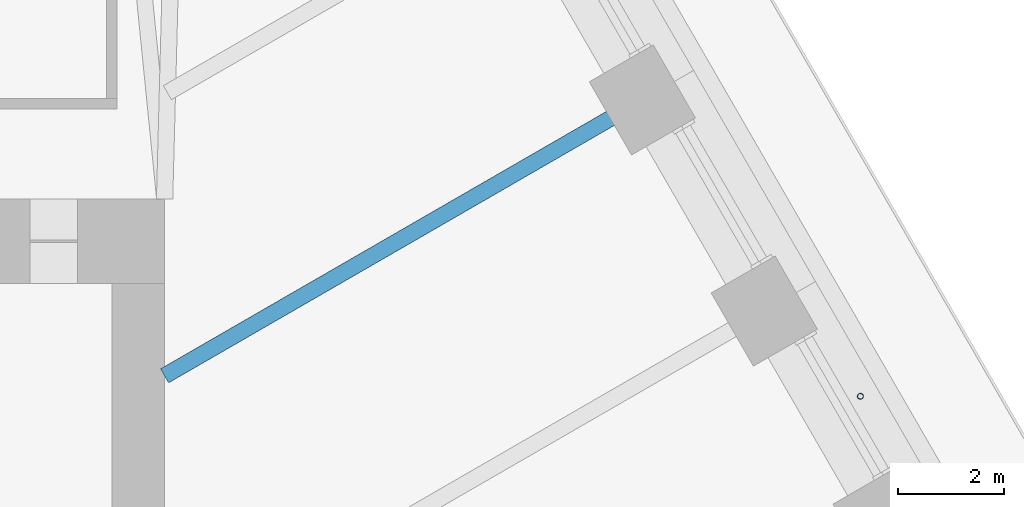
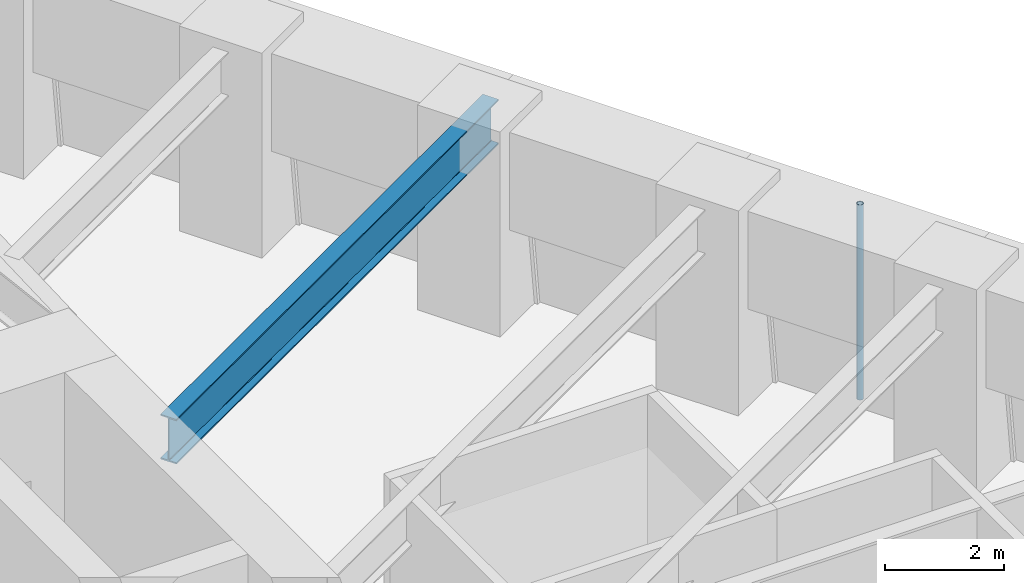
# One storey, part 10 of 20: 1 beam, 1 member.
"""IFC4 building model written with IfcOpenShell, lengths in metres."""

import ifcopenshell
import ifcopenshell.guid

model = None  # the IFC model being written
_history = None  # IfcOwnerHistory: only IFC2X3 demands one
_inside = {}  # id of a spatial element -> (the spatial element, [elements in it])
_under = {}  # id of a project, library or spatial element -> (it, [spatial elements below it])
_declared = {}  # id of a project -> (the project, [libraries it declares])
_typed = {}  # id of a type object -> (the type object, [elements of that type])
_made_of = {}  # id of a material, layer set ... -> (it, [elements and type objects made of it])


def new_model(schema):
    """Start an empty IFC model of exactly this schema.

    Asked for "IFC4X3", IfcOpenShell would pick the latest addendum, in which some entities
    have other attributes; the version numbers below select the first issue.
    IFC2X3 requires an IfcOwnerHistory on every rooted entity: one is made here for all.
    """
    global model, _history
    if schema == "IFC4X3":
        model = ifcopenshell.file(schema_version=(4, 3, 0, 0))
    else:
        model = ifcopenshell.file(schema=schema)
    _inside.clear()
    _under.clear()
    _declared.clear()
    _typed.clear()
    _made_of.clear()
    _history = None
    if model.schema == "IFC2X3":
        org = make("IfcOrganization", Name="unknown")
        user = make(
            "IfcPersonAndOrganization",
            ThePerson=make("IfcPerson", FamilyName="unknown"),
            TheOrganization=org,
        )
        app = make(
            "IfcApplication",
            ApplicationDeveloper=org,
            Version="unknown",
            ApplicationFullName="unknown",
            ApplicationIdentifier="unknown",
        )
        _history = make(
            "IfcOwnerHistory",
            OwningUser=user,
            OwningApplication=app,
            ChangeAction="ADDED",
            CreationDate=0,
        )
    return model


def make(cls, **values):
    """One entity of the class cls with the attributes given. An attribute that is None is left unset."""
    return model.create_entity(
        cls, **{name: value for name, value in values.items() if value is not None}
    )


def rooted(cls, **values):
    """An entity with a GlobalId (a new one), such as an element, a storey or a relation."""
    return make(cls, GlobalId=ifcopenshell.guid.new(), OwnerHistory=_history, **values)


def si_unit(unit_type, name, prefix=None):
    """IfcSIUnit, for example si_unit("LENGTHUNIT", "METRE", prefix="MILLI")."""
    return make("IfcSIUnit", UnitType=unit_type, Prefix=prefix, Name=name)


def assignment(units):
    """IfcUnitAssignment: the units of a project."""
    return None if units is None else make("IfcUnitAssignment", Units=units)


def point(xyz):
    """IfcCartesianPoint."""
    return None if xyz is None else make("IfcCartesianPoint", Coordinates=xyz)


def direction(xyz):
    """IfcDirection."""
    return None if xyz is None else make("IfcDirection", DirectionRatios=xyz)


def frame(location, z_axis=None, x_axis=None):
    """IfcAxis2Placement3D, a coordinate frame: its origin and axes. An axis left out is left unset."""
    return make(
        "IfcAxis2Placement3D",
        Location=point(location),
        Axis=direction(z_axis),
        RefDirection=direction(x_axis),
    )


def frame_2d(location, x_axis=None):
    """IfcAxis2Placement2D, a coordinate frame in the plane: its origin and x axis."""
    return make(
        "IfcAxis2Placement2D", Location=point(location), RefDirection=direction(x_axis)
    )


def origin():
    """The frame at (0, 0, 0) with its axes left unset."""
    return frame((0.0, 0.0, 0.0))


def origin_2d():
    """The frame at (0, 0) in the plane with its x axis left unset."""
    return frame_2d((0.0, 0.0))


def place(relative_to, where):
    """IfcLocalPlacement: puts the frame where relative to a parent placement (None: the world)."""
    return make(
        "IfcLocalPlacement", PlacementRelTo=relative_to, RelativePlacement=where
    )


def context(
    kind, dimensions, precision=None, world=None, true_north=None, identifier=None
):
    """IfcGeometricRepresentationContext, for example the 3D "Model" context."""
    return make(
        "IfcGeometricRepresentationContext",
        ContextIdentifier=identifier,
        ContextType=kind,
        CoordinateSpaceDimension=dimensions,
        Precision=precision,
        WorldCoordinateSystem=world,
        TrueNorth=true_north,
    )


def subcontext(parent, identifier, kind, view, scale=None):
    """IfcGeometricRepresentationSubContext, for example "Body" below "Model"."""
    return make(
        "IfcGeometricRepresentationSubContext",
        ContextIdentifier=identifier,
        ContextType=kind,
        ParentContext=parent,
        TargetScale=scale,
        TargetView=view,
    )


def project(units=None, contexts=None):
    """IfcProject with its units and contexts."""
    return rooted(
        "IfcProject",
        Name="project",
        RepresentationContexts=contexts,
        UnitsInContext=assignment(units),
    )


def spatial(cls, under=None, at=None, **own):
    """A site, building, storey or space (cls), placed at a placement, below another one or the project."""
    s = rooted(cls, ObjectPlacement=at, **own)
    if under is not None:
        _under.setdefault(under.id(), (under, []))[1].append(s)
    return s


def profile(cls, at=None, kind="AREA", **sizes):
    """A parametric profile (cls). Its sizes go by their IFC names, for example OverallWidth=200.0."""
    return make(cls, ProfileType=kind, Position=at, **sizes)


def hollow_circle(**sizes):
    """IfcCircleHollowProfileDef."""
    return profile("IfcCircleHollowProfileDef", **sizes)


def i_section(**sizes):
    """IfcIShapeProfileDef."""
    return profile("IfcIShapeProfileDef", **sizes)


def extrude(swept, where, along, depth):
    """IfcExtrudedAreaSolid: the profile swept, set in the frame where, extruded along a direction by depth."""
    return make(
        "IfcExtrudedAreaSolid",
        SweptArea=swept,
        Position=where,
        ExtrudedDirection=direction(along),
        Depth=depth,
    )


def shape(context_of_items, identifier, shape_type, items):
    """IfcShapeRepresentation: the items that make up one representation, for example the "Body"."""
    return make(
        "IfcShapeRepresentation",
        ContextOfItems=context_of_items,
        RepresentationIdentifier=identifier,
        RepresentationType=shape_type,
        Items=items,
    )


def material(Name=None, Category=None):
    """IfcMaterial."""
    return make("IfcMaterial", Name=Name, Category=Category)


def material_profile(
    of_material, cross_section, Name=None, Category=None, Priority=None
):
    """IfcMaterialProfile: a cross section and its material."""
    return make(
        "IfcMaterialProfile",
        Name=Name,
        Material=of_material,
        Profile=cross_section,
        Priority=Priority,
        Category=Category,
    )


def profile_set(profiles, Name=None, composite=None):
    """IfcMaterialProfileSet."""
    return make(
        "IfcMaterialProfileSet",
        Name=Name,
        MaterialProfiles=profiles,
        CompositeProfile=composite,
    )


def made_of(thing, what):
    """Note that an element or type object is made of a material, layer set ...; save() writes the relation."""
    if what is not None:
        _made_of.setdefault(what.id(), (what, []))[1].append(thing)
    return thing


def type_object(cls, material=None, **own):
    """A type object (cls), such as IfcWallType, which elements share."""
    return made_of(rooted(cls, **own), material)


def element(
    cls,
    number,
    at=None,
    inside=None,
    cuts=None,
    type_object=None,
    material=None,
    context=None,
    identifier="Body",
    shape_type=None,
    held_by="IfcProductDefinitionShape",
    body=None,
    shapes=None,
    **own,
):
    """One element of the class cls, such as IfcWall. Its Tag is "e" and its number.

    at: its placement. inside: the storey or other place that contains it. cuts: it is an
    opening in that element (IfcRelVoidsElement). A single representation is given by context,
    identifier, shape_type and body (its items); several are given by shapes. held_by: the class
    of the entity that holds the representations. save() writes the other relations.
    """
    e = rooted(cls, Tag="e%d" % number, ObjectPlacement=at, **own)
    if body is not None:
        shapes = [shape(context, identifier, shape_type, body)]
    if shapes is not None:
        e.Representation = make(held_by, Representations=shapes)
    if inside is not None:
        _inside.setdefault(inside.id(), (inside, []))[1].append(e)
    if cuts is not None:
        rooted(
            "IfcRelVoidsElement", RelatingBuildingElement=cuts, RelatedOpeningElement=e
        )
    if type_object is not None:
        _typed.setdefault(type_object.id(), (type_object, []))[1].append(e)
    return made_of(e, material)


def aggregate(whole, parts):
    """IfcRelAggregates: a whole, such as a stair, and the parts it consists of."""
    return rooted("IfcRelAggregates", RelatingObject=whole, RelatedObjects=parts)


def save(model, path):
    """Write the relations noted so far, then the file.

    IfcRelAggregates (storeys below a building ...), IfcRelContainedInSpatialStructure (elements
    in a storey), IfcRelDefinesByType, IfcRelAssociatesMaterial and IfcRelDeclares: one each for
    every whole, place, type object, material and project.
    """
    for whole, parts in _under.values():
        aggregate(whole, parts)
    for where, things in _inside.values():
        rooted(
            "IfcRelContainedInSpatialStructure",
            RelatedElements=things,
            RelatingStructure=where,
        )
    for kind, things in _typed.values():
        rooted("IfcRelDefinesByType", RelatedObjects=things, RelatingType=kind)
    for what, things in _made_of.values():
        rooted("IfcRelAssociatesMaterial", RelatedObjects=things, RelatingMaterial=what)
    for by, libraries in _declared.values():
        rooted("IfcRelDeclares", RelatingContext=by, RelatedDefinitions=libraries)
    model.write(path)


model = new_model("IFC4")

# Units and contexts
model_context = context("Model", 3, precision=1e-05, world=origin(), true_north=direction((0.0, 1.0)))
body_context = subcontext(model_context, "Body", "Model", "MODEL_VIEW")
ifc_project = project(units=[si_unit("LENGTHUNIT", "METRE"), si_unit("AREAUNIT", "SQUARE_METRE"), si_unit("VOLUMEUNIT", "CUBIC_METRE"), si_unit("PLANEANGLEUNIT", "RADIAN"), si_unit("MASSUNIT", "GRAM", prefix="KILO")], contexts=[model_context])

# Site, building, storey
site_placement = place(None, origin())
site = spatial("IfcSite", under=ifc_project, at=site_placement, CompositionType="ELEMENT")
building_placement = place(site_placement, origin())
building = spatial("IfcBuilding", under=site, at=building_placement, Name="Tarfa Lantern Tower", CompositionType="ELEMENT")
storey_placement = place(building_placement, frame((0.0, 0.0, 223.89990234375)))
storey = spatial("IfcBuildingStorey", under=building, at=storey_placement, Name="L50", CompositionType="ELEMENT", Elevation=223.89990234375)

# Member
ifc_material_1 = material(Name="Steel S355", Category="steel")
ifc_material_profile_1 = material_profile(ifc_material_1, hollow_circle(Radius=0.05712890625, WallThickness=0.00634765625, at=origin_2d()), Name="CHS114.3x6.3")
ifc_profile_set_1 = profile_set([ifc_material_profile_1], Name="Steel S355")
member_type = type_object("IfcMemberType", Name="TR1 GREEN WALL TRELLIS CHS114.3x6.3", PredefinedType="USERDEFINED", material=ifc_profile_set_1)
member_placement = place(storey_placement, frame((28.682861328125, 8.56005859375, 0.0), z_axis=(0.0, 0.0, 1.0), x_axis=(1.0, 0.0, 0.0)))
element("IfcMember", 1, at=member_placement, inside=storey, type_object=member_type, Name="Trellis post NE 1", ObjectType="TRELLIS", PredefinedType="USERDEFINED", context=body_context, shape_type="SweptSolid", body=[
    extrude(hollow_circle(Radius=0.05712890625, WallThickness=0.00634765625, at=origin_2d()), origin(), (0.0, 0.0, 1.0), 4.0),
])

# Beam
ifc_material_2 = material(Name="Steel S460M", Category="steel")
ifc_material_profile_2 = material_profile(ifc_material_2, i_section(OverallWidth=0.305419921875, OverallDepth=0.91845703125, WebThickness=0.017333984375, FlangeThickness=0.02783203125, FilletRadius=0.01904296875, at=origin_2d()), Name="UB914x305x253")
ifc_profile_set_2 = profile_set([ifc_material_profile_2], Name="Steel S460M")
beam_type = type_object("IfcBeamType", Name="UB914x305x253", PredefinedType="BEAM", material=ifc_profile_set_2)
beam_placement = place(storey_placement, frame((24.872314453125, 14.360107421875, 3.541015625), z_axis=(-0.8660244219, -0.500001700669, 0.0), x_axis=(0.500001700669, -0.8660244219, 0.0)))
element("IfcBeam", 2, at=beam_placement, inside=storey, type_object=beam_type, Name="Floor beam NE3", PredefinedType="BEAM", context=body_context, shape_type="SweptSolid", body=[
    extrude(i_section(OverallWidth=0.305419921875, OverallDepth=0.91845703125, WebThickness=0.017333984375, FlangeThickness=0.02783203125, FilletRadius=0.01904296875, at=origin_2d()), origin(), (0.0, 0.0, 1.0), 10.822265625),
])

save(model, "model.ifc")
